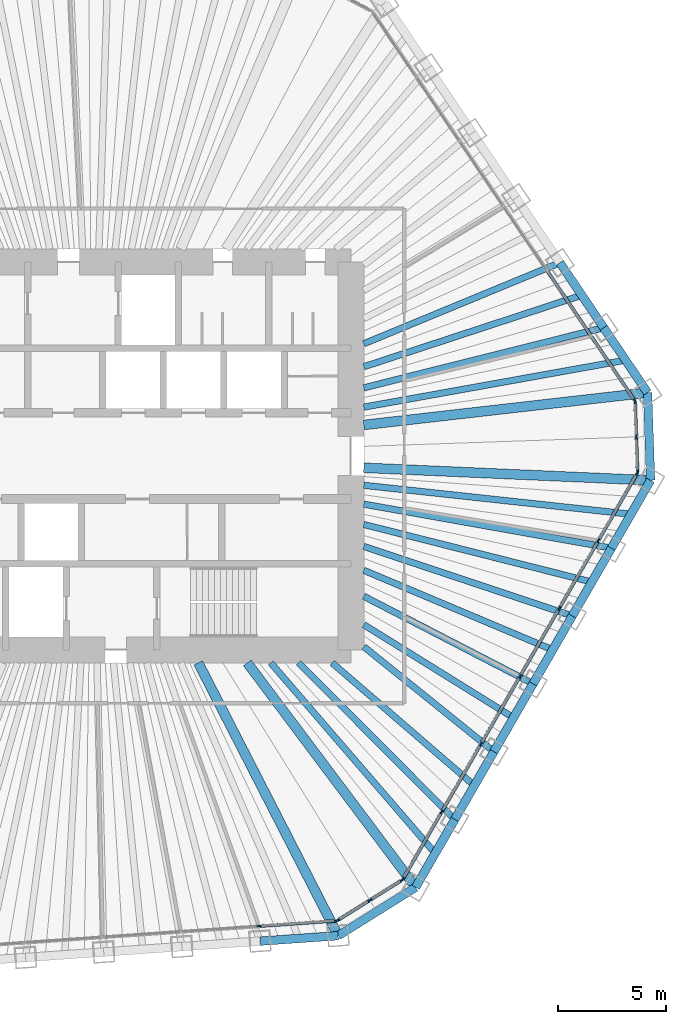
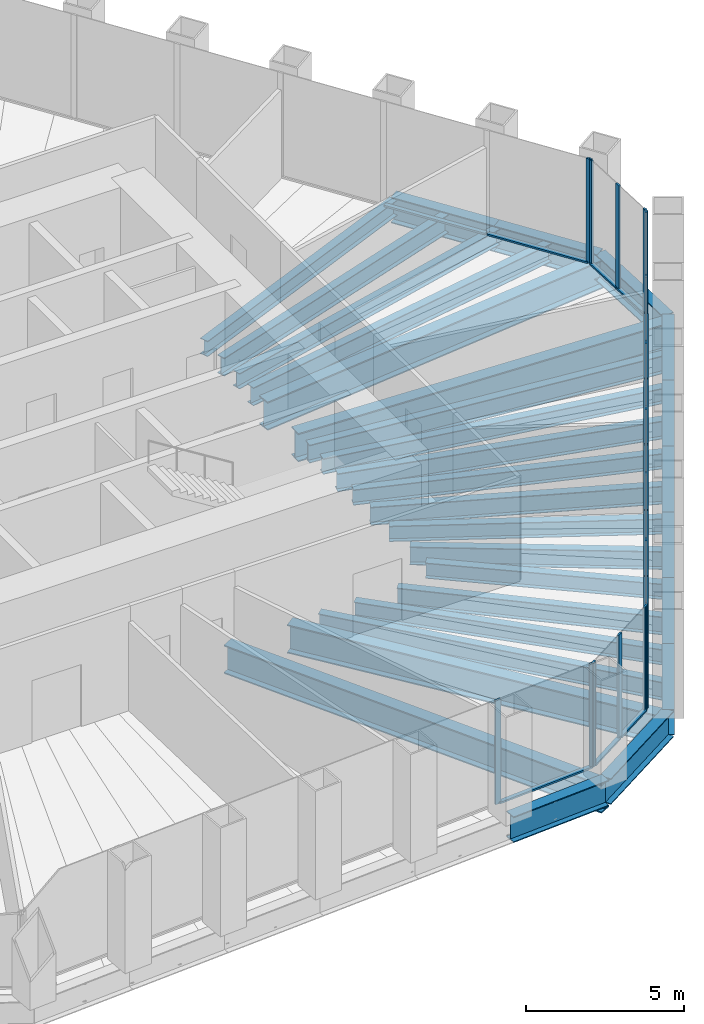
# One storey, part 4 of 13: 30 beams, 29 members, 5 elements without a shape of their own.
"""IFC4 building model written with IfcOpenShell, lengths in metres."""

from ifc_helpers import new_model, si_unit, direction, frame, origin, origin_2d, place, context, subcontext, project, spatial, rectangle, i_section, extrude, material, material_profile, profile_set, type_object, element, aggregate, save


model = new_model("IFC4")

# Units and contexts
model_context = context("Model", 3, precision=1e-05, world=origin(), true_north=direction((0.0, 1.0)))
body_context = subcontext(model_context, "Body", "Model", "MODEL_VIEW")
ifc_project = project(units=[si_unit("LENGTHUNIT", "METRE"), si_unit("AREAUNIT", "SQUARE_METRE"), si_unit("VOLUMEUNIT", "CUBIC_METRE"), si_unit("PLANEANGLEUNIT", "RADIAN"), si_unit("MASSUNIT", "GRAM", prefix="KILO")], contexts=[model_context])

# Site, building, storey
site_placement = place(None, origin())
site = spatial("IfcSite", under=ifc_project, at=site_placement, CompositionType="ELEMENT")
building_placement = place(site_placement, origin())
building = spatial("IfcBuilding", under=site, at=building_placement, Name="Qingtian Harvest Tower", CompositionType="ELEMENT")
storey_placement = place(building_placement, frame((0.0, 0.0, 230.800048828125)))
storey = spatial("IfcBuildingStorey", under=building, at=storey_placement, Name="L50", CompositionType="ELEMENT", Elevation=230.800048828125)

# Beams
ifc_material_1 = material(Name="Steel SM570MC", Category="steel")
ifc_material_profile_1 = material_profile(ifc_material_1, i_section(OverallWidth=0.449951171875, OverallDepth=1.10009765625, WebThickness=0.02197265625, FlangeThickness=0.044921875, at=origin_2d()), Name="H1100x450x22x45")
ifc_profile_set_1 = profile_set([ifc_material_profile_1], Name="Steel SM570MC")
beam_type_1 = type_object("IfcBeamType", Name="Corner floor beam FB8 H1100x450x22x45", PredefinedType="BEAM", material=ifc_profile_set_1)
beam_1_placement = place(storey_placement, frame((25.762451171875, 2.936279296875, -0.719970703125), z_axis=(-0.993566901619, -0.113246686522, 0.0), x_axis=(0.113246686522, -0.993566901619, 0.0)))
element("IfcBeam", 1, at=beam_1_placement, inside=storey, type_object=beam_type_1, Name="Floor beam FB8 NE6", PredefinedType="BEAM", context=body_context, shape_type="SweptSolid", body=[
    extrude(i_section(OverallWidth=0.449951171875, OverallDepth=1.10009765625, WebThickness=0.02197265625, FlangeThickness=0.044921875, at=origin_2d()), origin(), (0.0, 0.0, 1.0), 13.24755859375),
])
beam_2_placement = place(storey_placement, frame((25.904541015625, -1.1318359375, -0.719970703125), z_axis=(-0.999046865424, 0.043650437408, 0.0), x_axis=(-0.043650437408, -0.999046865424, 0.0)))
element("IfcBeam", 2, at=beam_2_placement, inside=storey, type_object=beam_type_1, Name="Floor beam FB8 SE0", PredefinedType="BEAM", context=body_context, shape_type="SweptSolid", body=[
    extrude(i_section(OverallWidth=0.449951171875, OverallDepth=1.10009765625, WebThickness=0.02197265625, FlangeThickness=0.044921875, at=origin_2d()), origin(), (0.0, 0.0, 1.0), 13.317138671875),
])
beam_3_placement = place(storey_placement, frame((15.00390625, -20.012451171875, -0.719970703125), z_axis=(-0.599858913609, 0.800105795357, 0.0), x_axis=(-0.800105795357, -0.599858913609, 0.0)))
element("IfcBeam", 3, at=beam_3_placement, inside=storey, type_object=beam_type_1, Name="Floor beam FB8 SE6", PredefinedType="BEAM", context=body_context, shape_type="SweptSolid", body=[
    extrude(i_section(OverallWidth=0.449951171875, OverallDepth=1.10009765625, WebThickness=0.02197265625, FlangeThickness=0.044921875, at=origin_2d()), origin(), (0.0, 0.0, 1.0), 13.013671875),
])
beam_4_placement = place(storey_placement, frame((11.40966796875, -22.25830078125, -0.719970703125), z_axis=(-0.456157396608, 0.889899111989, 0.0), x_axis=(-0.889899111989, -0.456157396608, 0.0)))
element("IfcBeam", 4, at=beam_4_placement, inside=storey, type_object=beam_type_1, Name="Floor beam FB8 S0", PredefinedType="BEAM", context=body_context, shape_type="SweptSolid", body=[
    extrude(i_section(OverallWidth=0.449951171875, OverallDepth=1.10009765625, WebThickness=0.02197265625, FlangeThickness=0.044921875, at=origin_2d()), origin(), (0.0, 0.0, 1.0), 14.224365234375),
])
ifc_material_2 = material(Name="Steel SN490B", Category="steel")
ifc_material_profile_2 = material_profile(ifc_material_2, i_section(OverallWidth=0.300048828125, OverallDepth=0.60009765625, WebThickness=0.011962890625, FlangeThickness=0.02001953125, at=origin_2d()), Name="H600x300x12x20")
ifc_profile_set_2 = profile_set([ifc_material_profile_2], Name="Steel SN490B")
beam_type_2 = type_object("IfcBeamType", Name="Floor beam FB3 H600x300x12x20", PredefinedType="BEAM", material=ifc_profile_set_2)
beam_5_placement = place(storey_placement, frame((21.69873046875, 8.9609375, -0.469970703125), z_axis=(-0.924281590361, -0.381711332973, 0.0), x_axis=(0.381711332973, -0.924281590361, 0.0)))
element("IfcBeam", 5, at=beam_5_placement, inside=storey, type_object=beam_type_2, Name="Floor beam FB3 NE4", PredefinedType="BEAM", context=body_context, shape_type="SweptSolid", body=[
    extrude(i_section(OverallWidth=0.300048828125, OverallDepth=0.60009765625, WebThickness=0.011962890625, FlangeThickness=0.02001953125, at=origin_2d()), origin(), (0.0, 0.0, 1.0), 9.843994140625),
])
beam_6_placement = place(storey_placement, frame((23.730712890625, 5.948486328125, -0.469970703125), z_axis=(-0.969990876487, -0.243141315972, 0.0), x_axis=(0.243141315972, -0.969990876487, 0.0)))
element("IfcBeam", 6, at=beam_6_placement, inside=storey, type_object=beam_type_2, Name="Floor beam FB3 NE5", PredefinedType="BEAM", context=body_context, shape_type="SweptSolid", body=[
    extrude(i_section(OverallWidth=0.300048828125, OverallDepth=0.60009765625, WebThickness=0.011962890625, FlangeThickness=0.02001953125, at=origin_2d()), origin(), (0.0, 0.0, 1.0), 11.474853515625),
])
beam_7_placement = place(storey_placement, frame((24.087890625, -4.27880859375, -0.469970703125), z_axis=(-0.98458469654, 0.174908477034, 0.0), x_axis=(-0.174908477034, -0.98458469654, 0.0)))
element("IfcBeam", 7, at=beam_7_placement, inside=storey, type_object=beam_type_2, Name="Floor beam FB3 SE1", PredefinedType="BEAM", context=body_context, shape_type="SweptSolid", body=[
    extrude(i_section(OverallWidth=0.300048828125, OverallDepth=0.60009765625, WebThickness=0.011962890625, FlangeThickness=0.02001953125, at=origin_2d()), origin(), (0.0, 0.0, 1.0), 11.667724609375),
])
beam_8_placement = place(storey_placement, frame((22.27099609375, -7.425537109375, -0.469970703125), z_axis=(-0.948654555734, 0.316313979908, 0.0), x_axis=(-0.316313979908, -0.948654555734, 0.0)))
element("IfcBeam", 8, at=beam_8_placement, inside=storey, type_object=beam_type_2, Name="Floor beam FB3 SE2", PredefinedType="BEAM", context=body_context, shape_type="SweptSolid", body=[
    extrude(i_section(OverallWidth=0.300048828125, OverallDepth=0.60009765625, WebThickness=0.011962890625, FlangeThickness=0.02001953125, at=origin_2d()), origin(), (0.0, 0.0, 1.0), 10.1943359375),
])
beam_9_placement = place(storey_placement, frame((20.454345703125, -10.572265625, -0.469970703125), z_axis=(-0.888343501027, 0.459179511938, 0.0), x_axis=(-0.459179511938, -0.888343501027, 0.0)))
element("IfcBeam", 9, at=beam_9_placement, inside=storey, type_object=beam_type_2, Name="Floor beam FB3 SE3", PredefinedType="BEAM", context=body_context, shape_type="SweptSolid", body=[
    extrude(i_section(OverallWidth=0.300048828125, OverallDepth=0.60009765625, WebThickness=0.011962890625, FlangeThickness=0.02001953125, at=origin_2d()), origin(), (0.0, 0.0, 1.0), 8.841552734375),
])
beam_10_placement = place(storey_placement, frame((18.637451171875, -13.718994140625, -0.469970703125), z_axis=(-0.77840907003, 0.62775737327, 0.0), x_axis=(-0.62775737327, -0.77840907003, 0.0)))
element("IfcBeam", 10, at=beam_10_placement, inside=storey, type_object=beam_type_2, Name="Floor beam FB3 SE4", PredefinedType="BEAM", context=body_context, shape_type="SweptSolid", body=[
    extrude(i_section(OverallWidth=0.300048828125, OverallDepth=0.60009765625, WebThickness=0.011962890625, FlangeThickness=0.02001953125, at=origin_2d()), origin(), (0.0, 0.0, 1.0), 7.756103515625),
])
beam_11_placement = place(storey_placement, frame((16.82080078125, -16.86572265625, -0.469970703125), z_axis=(-0.70616637797, 0.708045935392, 0.0), x_axis=(-0.708045935392, -0.70616637797, 0.0)))
element("IfcBeam", 11, at=beam_11_placement, inside=storey, type_object=beam_type_2, Name="Floor beam FB3 SE5", PredefinedType="BEAM", context=body_context, shape_type="SweptSolid", body=[
    extrude(i_section(OverallWidth=0.300048828125, OverallDepth=0.60009765625, WebThickness=0.011962890625, FlangeThickness=0.02001953125, at=origin_2d()), origin(), (0.0, 0.0, 1.0), 10.261474609375),
])
ifc_material_3 = material(Name="Steel SN490B", Category="steel")
ifc_material_profile_3 = material_profile(ifc_material_3, i_section(OverallWidth=0.300048828125, OverallDepth=0.699951171875, WebThickness=0.012939453125, FlangeThickness=0.02392578125, at=origin_2d()), Name="H700x300x13x24")
ifc_profile_set_3 = profile_set([ifc_material_profile_3], Name="Steel SN490B")
beam_type_3 = type_object("IfcBeamType", Name="Floor joist J2 H700x300x13x24", PredefinedType="JOIST", material=ifc_profile_set_3)
beam_12_placement = place(storey_placement, frame((22.71484375, 7.454833984375, -0.52001953125), z_axis=(-0.950138567513, -0.311828001508, 0.0), x_axis=(0.311828001508, -0.950138567513, 0.0)))
element("IfcBeam", 12, at=beam_12_placement, inside=storey, type_object=beam_type_3, Name="Floor joist J2 NE4", PredefinedType="JOIST", context=body_context, shape_type="SweptSolid", body=[
    extrude(i_section(OverallWidth=0.300048828125, OverallDepth=0.699951171875, WebThickness=0.012939453125, FlangeThickness=0.02392578125, at=origin_2d()), origin(), (0.0, 0.0, 1.0), 10.6455078125),
])
beam_13_placement = place(storey_placement, frame((24.74658203125, 4.4423828125, -0.52001953125), z_axis=(-0.98426723745, -0.176686177393, 0.0), x_axis=(0.176686177393, -0.98426723745, 0.0)))
element("IfcBeam", 13, at=beam_13_placement, inside=storey, type_object=beam_type_3, Name="Floor joist J2 NE5", PredefinedType="JOIST", context=body_context, shape_type="SweptSolid", body=[
    extrude(i_section(OverallWidth=0.300048828125, OverallDepth=0.699951171875, WebThickness=0.012939453125, FlangeThickness=0.02392578125, at=origin_2d()), origin(), (0.0, 0.0, 1.0), 12.340576171875),
])
beam_14_placement = place(storey_placement, frame((24.99609375, -2.705322265625, -0.52001953125), z_axis=(-0.994194656298, 0.107596400448, 0.0), x_axis=(-0.107596400448, -0.994194656298, 0.0)))
element("IfcBeam", 14, at=beam_14_placement, inside=storey, type_object=beam_type_3, Name="Floor joist J2 SE0", PredefinedType="JOIST", context=body_context, shape_type="SweptSolid", body=[
    extrude(i_section(OverallWidth=0.300048828125, OverallDepth=0.699951171875, WebThickness=0.012939453125, FlangeThickness=0.02392578125, at=origin_2d()), origin(), (0.0, 0.0, 1.0), 12.46826171875),
])
beam_15_placement = place(storey_placement, frame((23.179443359375, -5.85205078125, -0.52001953125), z_axis=(-0.969577887027, 0.244783007963, 0.0), x_axis=(-0.244783007963, -0.969577887027, 0.0)))
element("IfcBeam", 15, at=beam_15_placement, inside=storey, type_object=beam_type_3, Name="Floor joist J2 SE1", PredefinedType="JOIST", context=body_context, shape_type="SweptSolid", body=[
    extrude(i_section(OverallWidth=0.300048828125, OverallDepth=0.699951171875, WebThickness=0.012939453125, FlangeThickness=0.02392578125, at=origin_2d()), origin(), (0.0, 0.0, 1.0), 10.911376953125),
])
beam_16_placement = place(storey_placement, frame((21.362548828125, -8.998779296875, -0.52001953125), z_axis=(-0.921571079516, 0.388209666803, 0.0), x_axis=(-0.388209666803, -0.921571079516, 0.0)))
element("IfcBeam", 16, at=beam_16_placement, inside=storey, type_object=beam_type_3, Name="Floor joist J2 SE2", PredefinedType="JOIST", context=body_context, shape_type="SweptSolid", body=[
    extrude(i_section(OverallWidth=0.300048828125, OverallDepth=0.699951171875, WebThickness=0.012939453125, FlangeThickness=0.02392578125, at=origin_2d()), origin(), (0.0, 0.0, 1.0), 9.508056640625),
])
beam_17_placement = place(storey_placement, frame((19.5458984375, -12.1455078125, -0.52001953125), z_axis=(-0.849380822906, 0.527780463526, 0.0), x_axis=(-0.527780463526, -0.849380822906, 0.0)))
element("IfcBeam", 17, at=beam_17_placement, inside=storey, type_object=beam_type_3, Name="Floor joist J2 SE3", PredefinedType="JOIST", context=body_context, shape_type="SweptSolid", body=[
    extrude(i_section(OverallWidth=0.300048828125, OverallDepth=0.699951171875, WebThickness=0.012939453125, FlangeThickness=0.02392578125, at=origin_2d()), origin(), (0.0, 0.0, 1.0), 8.177490234375),
])
beam_18_placement = place(storey_placement, frame((17.72900390625, -15.292236328125, -0.52001953125), z_axis=(-0.757237954988, 0.653139096613, 0.0), x_axis=(-0.653139096613, -0.757237954988, 0.0)))
element("IfcBeam", 18, at=beam_18_placement, inside=storey, type_object=beam_type_3, Name="Floor joist J2 SE4", PredefinedType="JOIST", context=body_context, shape_type="SweptSolid", body=[
    extrude(i_section(OverallWidth=0.300048828125, OverallDepth=0.699951171875, WebThickness=0.012939453125, FlangeThickness=0.02392578125, at=origin_2d()), origin(), (0.0, 0.0, 1.0), 8.715087890625),
])
beam_19_placement = place(storey_placement, frame((15.912353515625, -18.43896484375, -0.52001953125), z_axis=(-0.653343257086, 0.757061812813, 0.0), x_axis=(-0.757061812813, -0.653343257086, 0.0)))
element("IfcBeam", 19, at=beam_19_placement, inside=storey, type_object=beam_type_3, Name="Floor joist J2 SE5", PredefinedType="JOIST", context=body_context, shape_type="SweptSolid", body=[
    extrude(i_section(OverallWidth=0.300048828125, OverallDepth=0.699951171875, WebThickness=0.012939453125, FlangeThickness=0.02392578125, at=origin_2d()), origin(), (0.0, 0.0, 1.0), 11.67529296875),
])

# Curtain wall, member
ifc_material_4 = material(Name="Bronze-anodised aluminium curtain wall", Category="aluminium")
curtain_wall_type = type_object("IfcCurtainWallType", Name="Curtain wall CW4 office", PredefinedType="USERDEFINED", material=ifc_material_4)
curtain_wall_1_placement = place(storey_placement, origin())
curtain_wall_1 = element("IfcCurtainWall", 20, at=curtain_wall_1_placement, inside=storey, type_object=curtain_wall_type, Name="Curtain wall CW4 L50 NE0-5", ObjectType="RECESSED CURTAIN WALL", PredefinedType="USERDEFINED")
ifc_material_5 = material(Name="Bronze-anodised aluminium mullion", Category="aluminium")
ifc_material_profile_4 = material_profile(ifc_material_5, rectangle(XDim=0.06494140625, YDim=0.199951171875, at=origin_2d()), Name="AL 65x200")
ifc_profile_set_4 = profile_set([ifc_material_profile_4], Name="Bronze-anodised aluminium mullion")
member_type_1 = type_object("IfcMemberType", Name="Mullion CWM 65x200", PredefinedType="MULLION", material=ifc_profile_set_4)
member_1_placement = place(storey_placement, frame((25.1640625, 2.57177734375, 0.0), z_axis=(0.0, 0.0, 1.0), x_axis=(0.829037572555, 0.559192903471, 0.0)))
member_1 = element("IfcMember", 21, at=member_1_placement, type_object=member_type_1, Name="CW4 mullion 7", PredefinedType="MULLION", context=body_context, shape_type="SweptSolid", body=[
    extrude(rectangle(XDim=0.06494140625, YDim=0.199951171875, at=origin_2d()), origin(), (0.0, 0.0, 1.0), 4.030029296875),
])

# Curtain wall, members
curtain_wall_2_placement = place(storey_placement, origin())
curtain_wall_2 = element("IfcCurtainWall", 22, at=curtain_wall_2_placement, inside=storey, type_object=curtain_wall_type, Name="Curtain wall CW4 L50 NEC", ObjectType="RECESSED CURTAIN WALL", PredefinedType="USERDEFINED")
member_2_placement = place(storey_placement, frame((25.183349609375, 2.51220703125, 0.0), z_axis=(0.0, 0.0, 1.0), x_axis=(0.999390827019, 0.034899496703, 0.0)))
member_2 = element("IfcMember", 23, at=member_2_placement, type_object=member_type_1, Name="CW4 mullion 1", PredefinedType="MULLION", context=body_context, shape_type="SweptSolid", body=[
    extrude(rectangle(XDim=0.06494140625, YDim=0.199951171875, at=origin_2d()), origin(), (0.0, 0.0, 1.0), 4.030029296875),
])
member_3_placement = place(storey_placement, frame((25.240234375, 0.88134765625, 0.0), z_axis=(0.0, 0.0, 1.0), x_axis=(0.999390827019, 0.034899496703, 0.0)))
member_3 = element("IfcMember", 24, at=member_3_placement, type_object=member_type_1, Name="CW4 mullion 2", PredefinedType="MULLION", context=body_context, shape_type="SweptSolid", body=[
    extrude(rectangle(XDim=0.06494140625, YDim=0.199951171875, at=origin_2d()), origin(), (0.0, 0.0, 1.0), 4.030029296875),
])
member_4_placement = place(storey_placement, frame((25.297119140625, -0.74951171875, 0.0), z_axis=(0.0, 0.0, 1.0), x_axis=(0.999390827019, 0.034899496703, 0.0)))
member_4 = element("IfcMember", 25, at=member_4_placement, type_object=member_type_1, Name="CW4 mullion 3", PredefinedType="MULLION", context=body_context, shape_type="SweptSolid", body=[
    extrude(rectangle(XDim=0.06494140625, YDim=0.199951171875, at=origin_2d()), origin(), (0.0, 0.0, 1.0), 4.030029296875),
])

curtain_wall_3_placement = place(storey_placement, origin())
curtain_wall_3 = element("IfcCurtainWall", 26, at=curtain_wall_3_placement, inside=storey, type_object=curtain_wall_type, Name="Curtain wall CW4 L50 SE0-5", ObjectType="RECESSED CURTAIN WALL", PredefinedType="USERDEFINED")
member_5_placement = place(storey_placement, frame((25.2822265625, -0.81005859375, 0.0), z_axis=(0.0, 0.0, 1.0), x_axis=(0.866025403784, -0.5, 0.0)))
member_5 = element("IfcMember", 27, at=member_5_placement, type_object=member_type_1, Name="CW4 mullion 1", PredefinedType="MULLION", context=body_context, shape_type="SweptSolid", body=[
    extrude(rectangle(XDim=0.06494140625, YDim=0.199951171875, at=origin_2d()), origin(), (0.0, 0.0, 1.0), 4.030029296875),
])
member_6_placement = place(storey_placement, frame((23.481689453125, -3.9287109375, 0.0), z_axis=(0.0, 0.0, 1.0), x_axis=(0.866025403784, -0.5, 0.0)))
member_6 = element("IfcMember", 28, at=member_6_placement, type_object=member_type_1, Name="CW4 mullion 2", PredefinedType="MULLION", context=body_context, shape_type="SweptSolid", body=[
    extrude(rectangle(XDim=0.06494140625, YDim=0.199951171875, at=origin_2d()), origin(), (0.0, 0.0, 1.0), 4.030029296875),
])
member_7_placement = place(storey_placement, frame((21.664794921875, -7.075439453125, 0.0), z_axis=(0.0, 0.0, 1.0), x_axis=(0.866025403784, -0.5, 0.0)))
member_7 = element("IfcMember", 29, at=member_7_placement, type_object=member_type_1, Name="CW4 mullion 3", PredefinedType="MULLION", context=body_context, shape_type="SweptSolid", body=[
    extrude(rectangle(XDim=0.06494140625, YDim=0.199951171875, at=origin_2d()), origin(), (0.0, 0.0, 1.0), 4.030029296875),
])
member_8_placement = place(storey_placement, frame((19.84814453125, -10.22216796875, 0.0), z_axis=(0.0, 0.0, 1.0), x_axis=(0.866025403784, -0.5, 0.0)))
member_8 = element("IfcMember", 30, at=member_8_placement, type_object=member_type_1, Name="CW4 mullion 4", PredefinedType="MULLION", context=body_context, shape_type="SweptSolid", body=[
    extrude(rectangle(XDim=0.06494140625, YDim=0.199951171875, at=origin_2d()), origin(), (0.0, 0.0, 1.0), 4.030029296875),
])
member_9_placement = place(storey_placement, frame((18.03125, -13.368896484375, 0.0), z_axis=(0.0, 0.0, 1.0), x_axis=(0.866025403784, -0.5, 0.0)))
member_9 = element("IfcMember", 31, at=member_9_placement, type_object=member_type_1, Name="CW4 mullion 5", PredefinedType="MULLION", context=body_context, shape_type="SweptSolid", body=[
    extrude(rectangle(XDim=0.06494140625, YDim=0.199951171875, at=origin_2d()), origin(), (0.0, 0.0, 1.0), 4.030029296875),
])
member_10_placement = place(storey_placement, frame((16.214599609375, -16.515625, 0.0), z_axis=(0.0, 0.0, 1.0), x_axis=(0.866025403784, -0.5, 0.0)))
member_10 = element("IfcMember", 32, at=member_10_placement, type_object=member_type_1, Name="CW4 mullion 6", PredefinedType="MULLION", context=body_context, shape_type="SweptSolid", body=[
    extrude(rectangle(XDim=0.06494140625, YDim=0.199951171875, at=origin_2d()), origin(), (0.0, 0.0, 1.0), 4.030029296875),
])
member_11_placement = place(storey_placement, frame((14.4140625, -19.63427734375, 0.0), z_axis=(0.0, 0.0, 1.0), x_axis=(0.866025403784, -0.5, 0.0)))
member_11 = element("IfcMember", 33, at=member_11_placement, type_object=member_type_1, Name="CW4 mullion 7", PredefinedType="MULLION", context=body_context, shape_type="SweptSolid", body=[
    extrude(rectangle(XDim=0.06494140625, YDim=0.199951171875, at=origin_2d()), origin(), (0.0, 0.0, 1.0), 4.030029296875),
])

curtain_wall_4_placement = place(storey_placement, origin())
curtain_wall_4 = element("IfcCurtainWall", 34, at=curtain_wall_4_placement, inside=storey, type_object=curtain_wall_type, Name="Curtain wall CW4 L50 SEC", ObjectType="RECESSED CURTAIN WALL", PredefinedType="USERDEFINED")
member_12_placement = place(storey_placement, frame((14.3701171875, -19.6796875, 0.0), z_axis=(0.0, 0.0, 1.0), x_axis=(0.529919264233, -0.848048096156, 0.0)))
member_12 = element("IfcMember", 35, at=member_12_placement, type_object=member_type_1, Name="CW4 mullion 1", PredefinedType="MULLION", context=body_context, shape_type="SweptSolid", body=[
    extrude(rectangle(XDim=0.06494140625, YDim=0.199951171875, at=origin_2d()), origin(), (0.0, 0.0, 1.0), 4.030029296875),
])
member_13_placement = place(storey_placement, frame((12.87939453125, -20.611328125, 0.0), z_axis=(0.0, 0.0, 1.0), x_axis=(0.529919264233, -0.848048096156, 0.0)))
member_13 = element("IfcMember", 36, at=member_13_placement, type_object=member_type_1, Name="CW4 mullion 2", PredefinedType="MULLION", context=body_context, shape_type="SweptSolid", body=[
    extrude(rectangle(XDim=0.06494140625, YDim=0.199951171875, at=origin_2d()), origin(), (0.0, 0.0, 1.0), 4.030029296875),
])
member_14_placement = place(storey_placement, frame((11.388427734375, -21.542724609375, 0.0), z_axis=(0.0, 0.0, 1.0), x_axis=(0.529919264233, -0.848048096156, 0.0)))
member_14 = element("IfcMember", 37, at=member_14_placement, type_object=member_type_1, Name="CW4 mullion 3", PredefinedType="MULLION", context=body_context, shape_type="SweptSolid", body=[
    extrude(rectangle(XDim=0.06494140625, YDim=0.199951171875, at=origin_2d()), origin(), (0.0, 0.0, 1.0), 4.030029296875),
])

curtain_wall_5_placement = place(storey_placement, origin())
curtain_wall_5 = element("IfcCurtainWall", 38, at=curtain_wall_5_placement, inside=storey, type_object=curtain_wall_type, Name="Curtain wall CW4 L50 S0-5", ObjectType="RECESSED CURTAIN WALL", PredefinedType="USERDEFINED")
member_15_placement = place(storey_placement, frame((11.32861328125, -21.562255859375, 0.0), z_axis=(0.0, 0.0, 1.0), x_axis=(0.069756473744, -0.99756405026, 0.0)))
member_15 = element("IfcMember", 39, at=member_15_placement, type_object=member_type_1, Name="CW4 mullion 1", PredefinedType="MULLION", context=body_context, shape_type="SweptSolid", body=[
    extrude(rectangle(XDim=0.06494140625, YDim=0.199951171875, at=origin_2d()), origin(), (0.0, 0.0, 1.0), 4.030029296875),
])
member_16_placement = place(storey_placement, frame((7.736328125, -21.8134765625, 0.0), z_axis=(0.0, 0.0, 1.0), x_axis=(0.069756473744, -0.99756405026, 0.0)))
member_16 = element("IfcMember", 40, at=member_16_placement, type_object=member_type_1, Name="CW4 mullion 2", PredefinedType="MULLION", context=body_context, shape_type="SweptSolid", body=[
    extrude(rectangle(XDim=0.06494140625, YDim=0.199951171875, at=origin_2d()), origin(), (0.0, 0.0, 1.0), 4.030029296875),
])

# Beams
ifc_material_6 = material(Name="Steel SN490B", Category="steel")
ifc_material_profile_5 = material_profile(ifc_material_6, i_section(OverallWidth=0.39990234375, OverallDepth=1.0, WebThickness=0.01904296875, FlangeThickness=0.035888671875, at=origin_2d()), Name="H1000x400x19x36")
ifc_profile_set_5 = profile_set([ifc_material_profile_5], Name="Steel SN490B")
beam_type_4 = type_object("IfcBeamType", Name="Spandrel beam SB3 H1000x400x19x36", PredefinedType="SPANDREL", material=ifc_profile_set_5)
beam_20_placement = place(storey_placement, frame((21.69873046875, 8.9609375, -0.5), z_axis=(0.55920395902, -0.829030115385, 0.0), x_axis=(0.829030115385, 0.55920395902, 0.0)))
element("IfcBeam", 41, at=beam_20_placement, inside=storey, type_object=beam_type_4, Name="Spandrel SB3 NE4", PredefinedType="SPANDREL", context=body_context, shape_type="SweptSolid", body=[
    extrude(i_section(OverallWidth=0.39990234375, OverallDepth=1.0, WebThickness=0.01904296875, FlangeThickness=0.035888671875, at=origin_2d()), origin(), (0.0, 0.0, 1.0), 3.6337890625),
])
beam_21_placement = place(storey_placement, frame((23.730712890625, 5.948486328125, -0.5), z_axis=(0.559188928021, -0.829040254016, 0.0), x_axis=(0.829040254016, 0.559188928021, 0.0)))
element("IfcBeam", 42, at=beam_21_placement, inside=storey, type_object=beam_type_4, Name="Spandrel SB3 NE5", PredefinedType="SPANDREL", context=body_context, shape_type="SweptSolid", body=[
    extrude(i_section(OverallWidth=0.39990234375, OverallDepth=1.0, WebThickness=0.01904296875, FlangeThickness=0.035888671875, at=origin_2d()), origin(), (0.0, 0.0, 1.0), 3.63330078125),
])
beam_22_placement = place(storey_placement, frame((25.762451171875, 2.936279296875, -0.5), z_axis=(0.03490639867, -0.999390585973, 0.0), x_axis=(0.999390585973, 0.03490639867, 0.0)))
element("IfcBeam", 43, at=beam_22_placement, inside=storey, type_object=beam_type_4, Name="Spandrel SB3 NEC", PredefinedType="SPANDREL", context=body_context, shape_type="SweptSolid", body=[
    extrude(i_section(OverallWidth=0.39990234375, OverallDepth=1.0, WebThickness=0.01904296875, FlangeThickness=0.035888671875, at=origin_2d()), origin(), (0.0, 0.0, 1.0), 4.070556640625),
])
beam_23_placement = place(storey_placement, frame((25.904541015625, -1.1318359375, -0.5), z_axis=(-0.499947341849, -0.866055803848, 0.0), x_axis=(0.866055803848, -0.499947341849, 0.0)))
element("IfcBeam", 44, at=beam_23_placement, inside=storey, type_object=beam_type_4, Name="Spandrel SB3 SE0", PredefinedType="SPANDREL", context=body_context, shape_type="SweptSolid", body=[
    extrude(i_section(OverallWidth=0.39990234375, OverallDepth=1.0, WebThickness=0.01904296875, FlangeThickness=0.035888671875, at=origin_2d()), origin(), (0.0, 0.0, 1.0), 3.6337890625),
])
for number, where, z_axis, x_axis, name in (
    (45, (24.087890625, -4.27880859375, -0.5), (-0.500026827678, -0.866009914263, 0.0), (0.866009914263, -0.500026827678, 0.0), "Spandrel SB3 SE1"),
    (46, (22.27099609375, -7.425537109375, -0.5), (-0.499976434558, -0.866039008871, 0.0), (0.866039008871, -0.499976434558, 0.0), "Spandrel SB3 SE2"),
    (47, (20.454345703125, -10.572265625, -0.5), (-0.500026827678, -0.866009914263, 0.0), (0.866009914263, -0.500026827678, 0.0), "Spandrel SB3 SE3"),
    (48, (18.637451171875, -13.718994140625, -0.5), (-0.499976434558, -0.866039008871, 0.0), (0.866039008871, -0.499976434558, 0.0), "Spandrel SB3 SE4"),
    (49, (16.82080078125, -16.86572265625, -0.5), (-0.500026827678, -0.866009914263, 0.0), (0.866009914263, -0.500026827678, 0.0), "Spandrel SB3 SE5"),
):
    element("IfcBeam", number, at=place(storey_placement, frame(where, z_axis=z_axis, x_axis=x_axis)), inside=storey, type_object=beam_type_4, Name=name, PredefinedType="SPANDREL", context=body_context, shape_type="SweptSolid", body=[
        extrude(i_section(OverallWidth=0.39990234375, OverallDepth=1.0, WebThickness=0.01904296875, FlangeThickness=0.035888671875, at=origin_2d()), origin(), (0.0, 0.0, 1.0), 3.633544921875),
    ])
beam_24_placement = place(storey_placement, frame((15.00390625, -20.012451171875, -0.5), z_axis=(-0.848056550838, -0.529905733675, 0.0), x_axis=(0.529905733675, -0.848056550838, 0.0)))
element("IfcBeam", 50, at=beam_24_placement, inside=storey, type_object=beam_type_4, Name="Spandrel SB3 SEC", PredefinedType="SPANDREL", context=body_context, shape_type="SweptSolid", body=[
    extrude(i_section(OverallWidth=0.39990234375, OverallDepth=1.0, WebThickness=0.01904296875, FlangeThickness=0.035888671875, at=origin_2d()), origin(), (0.0, 0.0, 1.0), 4.23828125),
])
beam_25_placement = place(storey_placement, frame((11.40966796875, -22.25830078125, -0.5), z_axis=(-0.997564674207, -0.069747550305, 0.0), x_axis=(0.069747550305, -0.997564674207, 0.0)))
element("IfcBeam", 51, at=beam_25_placement, inside=storey, type_object=beam_type_4, Name="Spandrel SB3 S0", PredefinedType="SPANDREL", context=body_context, shape_type="SweptSolid", body=[
    extrude(i_section(OverallWidth=0.39990234375, OverallDepth=1.0, WebThickness=0.01904296875, FlangeThickness=0.035888671875, at=origin_2d()), origin(), (0.0, 0.0, 1.0), 3.63330078125),
])

# Member
ifc_material_7 = material(Name="Bronze-anodised aluminium transom", Category="aluminium")
ifc_material_profile_6 = material_profile(ifc_material_7, rectangle(XDim=0.14990234375, YDim=0.06494140625, at=origin_2d()), Name="AL 65x150")
ifc_profile_set_6 = profile_set([ifc_material_profile_6], Name="Bronze-anodised aluminium transom")
member_type_2 = type_object("IfcMemberType", Name="Transom CWT 65x150", PredefinedType="USERDEFINED", material=ifc_profile_set_6)
member_17_placement = place(storey_placement, frame((21.13671875, 8.54248046875, 0.032470703125), z_axis=(0.559160259871, -0.829059590006, 0.0), x_axis=(0.829059590006, 0.559160259871, 0.0)))
member_17 = element("IfcMember", 52, at=member_17_placement, type_object=member_type_2, Name="CW4 transom 5.1", ObjectType="TRANSOM", PredefinedType="USERDEFINED", context=body_context, shape_type="SweptSolid", body=[
    extrude(rectangle(XDim=0.14990234375, YDim=0.06494140625, at=origin_2d()), origin(), (0.0, 0.0, 1.0), 3.568603515625),
])

member_18_placement = place(storey_placement, frame((23.16845703125, 5.5302734375, 0.032470703125), z_axis=(0.559169259008, -0.829053520456, 0.0), x_axis=(0.829053520456, 0.559169259008, 0.0)))
member_18 = element("IfcMember", 53, at=member_18_placement, type_object=member_type_2, Name="CW4 transom 6.1", ObjectType="TRANSOM", PredefinedType="USERDEFINED", context=body_context, shape_type="SweptSolid", body=[
    extrude(rectangle(XDim=0.14990234375, YDim=0.06494140625, at=origin_2d()), origin(), (0.0, 0.0, 1.0), 3.5361328125),
])

aggregate(curtain_wall_1, [member_1, member_17, member_18])

member_19_placement = place(storey_placement, frame((25.1845703125, 2.479736328125, 0.032470703125), z_axis=(0.034902326647, -0.999390728191, 0.0), x_axis=(0.999390728191, 0.034902326647, 0.0)))
member_19 = element("IfcMember", 54, at=member_19_placement, type_object=member_type_2, Name="CW4 transom 1.1", ObjectType="TRANSOM", PredefinedType="USERDEFINED", context=body_context, shape_type="SweptSolid", body=[
    extrude(rectangle(XDim=0.14990234375, YDim=0.06494140625, at=origin_2d()), origin(), (0.0, 0.0, 1.0), 1.56689453125),
])

member_20_placement = place(storey_placement, frame((25.241455078125, 0.848876953125, 0.032470703125), z_axis=(0.034902326647, -0.999390728191, 0.0), x_axis=(0.999390728191, 0.034902326647, 0.0)))
member_20 = element("IfcMember", 55, at=member_20_placement, type_object=member_type_2, Name="CW4 transom 2.1", ObjectType="TRANSOM", PredefinedType="USERDEFINED", context=body_context, shape_type="SweptSolid", body=[
    extrude(rectangle(XDim=0.14990234375, YDim=0.06494140625, at=origin_2d()), origin(), (0.0, 0.0, 1.0), 1.56689453125),
])

aggregate(curtain_wall_2, [member_2, member_3, member_4, member_19, member_20])

member_21_placement = place(storey_placement, frame((25.265869140625, -0.838134765625, 0.032470703125), z_axis=(-0.499985409597, -0.866033827394, 0.0), x_axis=(0.866033827394, -0.499985409597, 0.0)))
member_21 = element("IfcMember", 56, at=member_21_placement, type_object=member_type_2, Name="CW4 transom 1.1", ObjectType="TRANSOM", PredefinedType="USERDEFINED", context=body_context, shape_type="SweptSolid", body=[
    extrude(rectangle(XDim=0.14990234375, YDim=0.06494140625, at=origin_2d()), origin(), (0.0, 0.0, 1.0), 3.5361328125),
])

member_22_placement = place(storey_placement, frame((23.46533203125, -3.956787109375, 0.032470703125), z_axis=(-0.499965259726, -0.866045460162, 0.0), x_axis=(0.866045460162, -0.499965259726, 0.0)))
member_22 = element("IfcMember", 57, at=member_22_placement, type_object=member_type_2, Name="CW4 transom 2.1", ObjectType="TRANSOM", PredefinedType="USERDEFINED", context=body_context, shape_type="SweptSolid", body=[
    extrude(rectangle(XDim=0.14990234375, YDim=0.06494140625, at=origin_2d()), origin(), (0.0, 0.0, 1.0), 3.568603515625),
])

member_23_placement = place(storey_placement, frame((21.648681640625, -7.103515625, 0.032470703125), z_axis=(-0.500016569533, -0.866015837149, 0.0), x_axis=(0.866015837149, -0.500016569533, 0.0)))
member_23 = element("IfcMember", 58, at=member_23_placement, type_object=member_type_2, Name="CW4 transom 3.1", ObjectType="TRANSOM", PredefinedType="USERDEFINED", context=body_context, shape_type="SweptSolid", body=[
    extrude(rectangle(XDim=0.14990234375, YDim=0.06494140625, at=origin_2d()), origin(), (0.0, 0.0, 1.0), 3.56884765625),
])

member_24_placement = place(storey_placement, frame((19.831787109375, -10.250244140625, 0.032470703125), z_axis=(-0.499965259726, -0.866045460162, 0.0), x_axis=(0.866045460162, -0.499965259726, 0.0)))
member_24 = element("IfcMember", 59, at=member_24_placement, type_object=member_type_2, Name="CW4 transom 4.1", ObjectType="TRANSOM", PredefinedType="USERDEFINED", context=body_context, shape_type="SweptSolid", body=[
    extrude(rectangle(XDim=0.14990234375, YDim=0.06494140625, at=origin_2d()), origin(), (0.0, 0.0, 1.0), 3.568603515625),
])

member_25_placement = place(storey_placement, frame((18.014892578125, -13.39697265625, 0.032470703125), z_axis=(-0.499965259726, -0.866045460162, 0.0), x_axis=(0.866045460162, -0.499965259726, 0.0)))
member_25 = element("IfcMember", 60, at=member_25_placement, type_object=member_type_2, Name="CW4 transom 5.1", ObjectType="TRANSOM", PredefinedType="USERDEFINED", context=body_context, shape_type="SweptSolid", body=[
    extrude(rectangle(XDim=0.14990234375, YDim=0.06494140625, at=origin_2d()), origin(), (0.0, 0.0, 1.0), 3.568603515625),
])

member_26_placement = place(storey_placement, frame((16.1982421875, -16.5439453125, 0.032470703125), z_axis=(-0.500015305566, -0.866016566931, 0.0), x_axis=(0.866016566931, -0.500015305566, 0.0)))
member_26 = element("IfcMember", 61, at=member_26_placement, type_object=member_type_2, Name="CW4 transom 6.1", ObjectType="TRANSOM", PredefinedType="USERDEFINED", context=body_context, shape_type="SweptSolid", body=[
    extrude(rectangle(XDim=0.14990234375, YDim=0.06494140625, at=origin_2d()), origin(), (0.0, 0.0, 1.0), 3.5361328125),
])

aggregate(curtain_wall_3, [member_5, member_6, member_7, member_8, member_9, member_10, member_11, member_21, member_22, member_23, member_24, member_25, member_26])

member_27_placement = place(storey_placement, frame((14.342529296875, -19.69677734375, 0.032470703125), z_axis=(-0.847998304005, -0.529998940003, 0.0), x_axis=(0.529998940003, -0.847998304005, 0.0)))
member_27 = element("IfcMember", 62, at=member_27_placement, type_object=member_type_2, Name="CW4 transom 1.1", ObjectType="TRANSOM", PredefinedType="USERDEFINED", context=body_context, shape_type="SweptSolid", body=[
    extrude(rectangle(XDim=0.14990234375, YDim=0.06494140625, at=origin_2d()), origin(), (0.0, 0.0, 1.0), 1.69287109375),
])

member_28_placement = place(storey_placement, frame((12.851806640625, -20.62841796875, 0.032470703125), z_axis=(-0.84803880708, -0.529934129573, 0.0), x_axis=(0.529934129573, -0.84803880708, 0.0)))
member_28 = element("IfcMember", 63, at=member_28_placement, type_object=member_type_2, Name="CW4 transom 2.1", ObjectType="TRANSOM", PredefinedType="USERDEFINED", context=body_context, shape_type="SweptSolid", body=[
    extrude(rectangle(XDim=0.14990234375, YDim=0.06494140625, at=origin_2d()), origin(), (0.0, 0.0, 1.0), 1.693115234375),
])

aggregate(curtain_wall_4, [member_12, member_13, member_14, member_27, member_28])

member_29_placement = place(storey_placement, frame((11.296142578125, -21.564453125, 0.032470703125), z_axis=(-0.997561034679, -0.069799585166, 0.0), x_axis=(0.069799585166, -0.997561034679, 0.0)))
member_29 = element("IfcMember", 64, at=member_29_placement, type_object=member_type_2, Name="CW4 transom 1.1", ObjectType="TRANSOM", PredefinedType="USERDEFINED", context=body_context, shape_type="SweptSolid", body=[
    extrude(rectangle(XDim=0.14990234375, YDim=0.06494140625, at=origin_2d()), origin(), (0.0, 0.0, 1.0), 3.5361328125),
])

aggregate(curtain_wall_5, [member_15, member_16, member_29])

save(model, "model.ifc")
